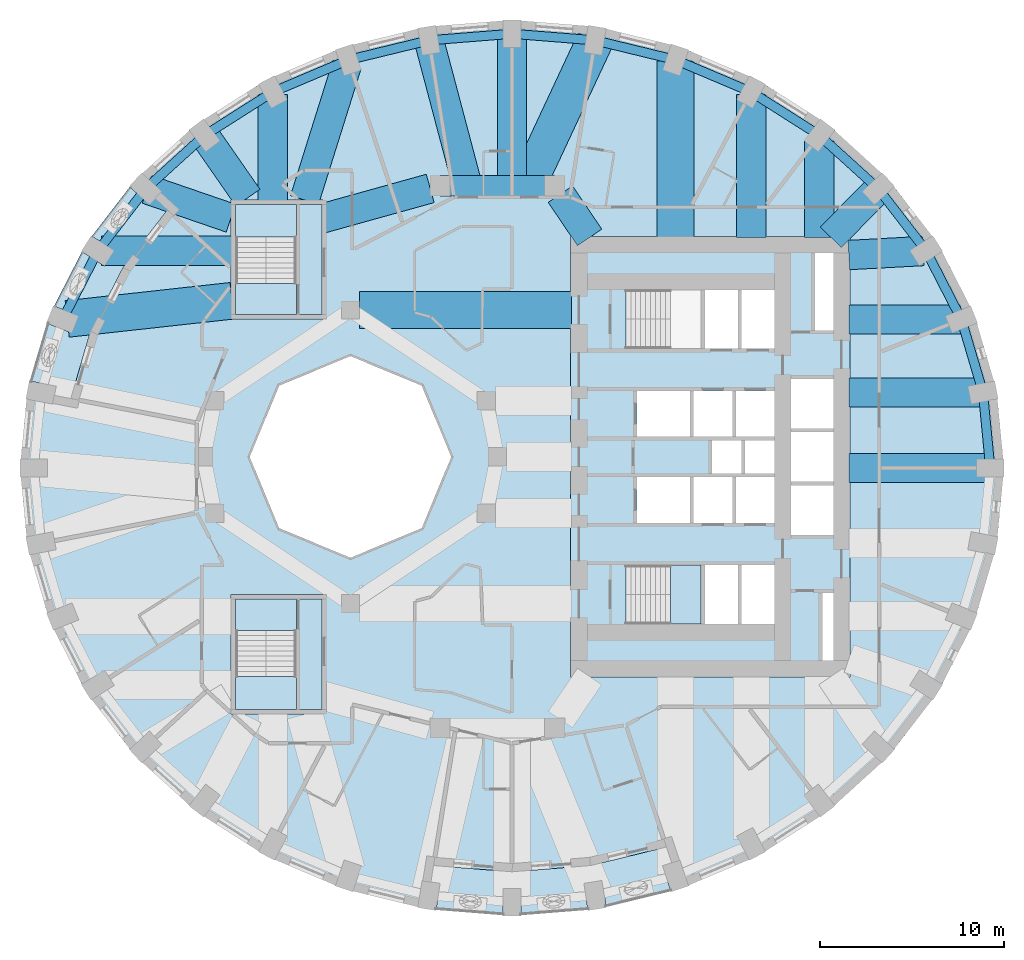
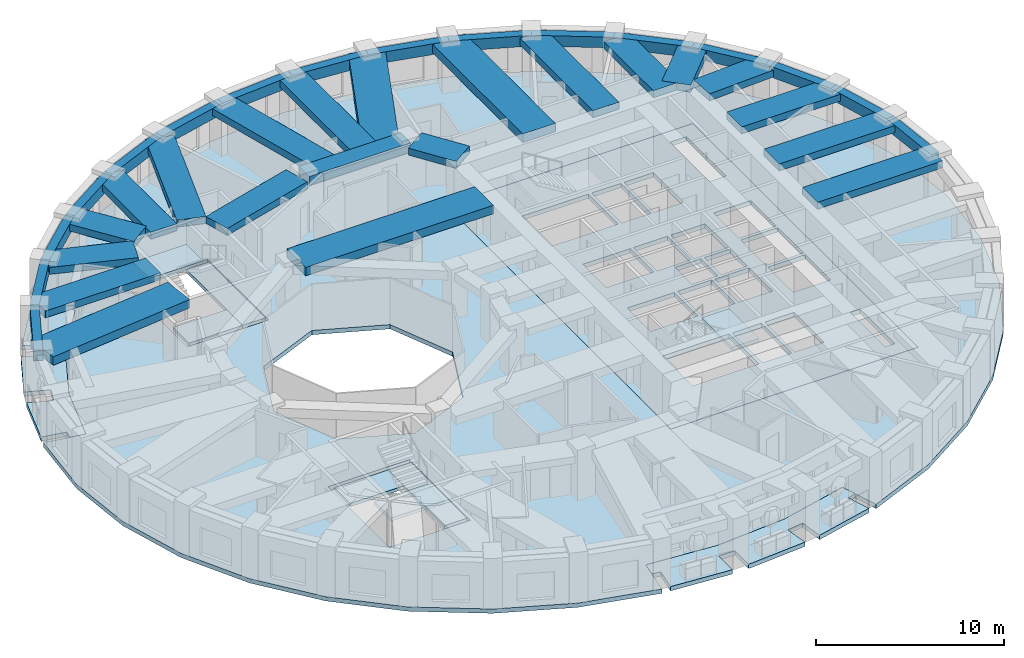
# One storey, part 2 of 13: 37 beams, 11 slabs, 3 elements without a shape of their own.
"""IFC4 building model written with IfcOpenShell, lengths in metres."""

from ifc_helpers import new_model, si_unit, direction, frame, origin, origin_2d, place, context, subcontext, project, spatial, polyline, rectangle, outline, extrude, material, layer, layer_set, material_profile, profile_set, type_object, element, aggregate, save


model = new_model("IFC4")

# Units and contexts
model_context = context("Model", 3, precision=1e-05, world=origin(), true_north=direction((0.0, 1.0)))
body_context = subcontext(model_context, "Body", "Model", "MODEL_VIEW")
ifc_project = project(units=[si_unit("LENGTHUNIT", "METRE"), si_unit("AREAUNIT", "SQUARE_METRE"), si_unit("VOLUMEUNIT", "CUBIC_METRE"), si_unit("PLANEANGLEUNIT", "RADIAN"), si_unit("MASSUNIT", "GRAM", prefix="KILO")], contexts=[model_context])

# Site, building, storey
site_placement = place(None, origin())
site = spatial("IfcSite", under=ifc_project, at=site_placement, CompositionType="ELEMENT")
building_placement = place(site_placement, origin())
building = spatial("IfcBuilding", under=site, at=building_placement, Name="Taillehof Tower", CompositionType="ELEMENT")
storey_placement = place(building_placement, frame((0.0, 0.0, 115.300048828125)))
storey = spatial("IfcBuildingStorey", under=building, at=storey_placement, Name="L32", CompositionType="ELEMENT", Elevation=115.300048828125)

# Beams
ifc_material_1 = material(Name="Concrete C50/60", Category="concrete")
ifc_material_profile_1 = material_profile(ifc_material_1, rectangle(XDim=1.10009765625, YDim=0.60009765625, at=origin_2d()), Name="RC 1100x600")
ifc_profile_set_1 = profile_set([ifc_material_profile_1], Name="Concrete C50/60")
beam_type_1 = type_object("IfcBeamType", Name="Mid-ring beam C50/60 1100x600", PredefinedType="BEAM", material=ifc_profile_set_1)
beam_1_placement = place(storey_placement, frame((3.125732421875, 14.772216796875, 2.719970703125), z_axis=(-1.0, 0.0, 0.0), x_axis=(0.0, -1.0, 0.0)))
element("IfcBeam", 1, at=beam_1_placement, inside=storey, type_object=beam_type_1, Name="Mid-ring beam MB01", PredefinedType="BEAM", context=body_context, shape_type="SweptSolid", body=[
    extrude(rectangle(XDim=1.10009765625, YDim=0.60009765625, at=origin_2d()), origin(), (0.0, 0.0, 1.0), 6.25146484375),
])
ifc_material_2 = material(Name="Concrete C50/60", Category="concrete")
ifc_material_profile_2 = material_profile(ifc_material_2, rectangle(XDim=1.60009765625, YDim=0.449951171875, at=origin_2d()), Name="RC 1600x450")
ifc_profile_set_2 = profile_set([ifc_material_profile_2], Name="Concrete C50/60")
beam_type_2 = type_object("IfcBeamType", Name="Radial band beam C50/60 1600x450", PredefinedType="BEAM", material=ifc_profile_set_2)
beam_2_placement = place(storey_placement, frame((26.85009765625, -0.60009765625, 2.794921875), z_axis=(-1.0, 0.0, 0.0), x_axis=(0.0, -1.0, 0.0)))
element("IfcBeam", 2, at=beam_2_placement, inside=storey, type_object=beam_type_2, Name="Radial band beam RB01", PredefinedType="BEAM", context=body_context, shape_type="SweptSolid", body=[
    extrude(rectangle(XDim=1.60009765625, YDim=0.449951171875, at=origin_2d()), origin(), (0.0, 0.0, 1.0), 7.7001953125),
])
beam_3_placement = place(storey_placement, frame((26.454345703125, 3.5068359375, 2.794921875), z_axis=(-1.0, 0.0, 0.0), x_axis=(0.0, -1.0, 0.0)))
element("IfcBeam", 3, at=beam_3_placement, inside=storey, type_object=beam_type_2, Name="Radial band beam RB02", PredefinedType="BEAM", context=body_context, shape_type="SweptSolid", body=[
    extrude(rectangle(XDim=1.60009765625, YDim=0.449951171875, at=origin_2d()), origin(), (0.0, 0.0, 1.0), 7.304443359375),
])
beam_4_placement = place(storey_placement, frame((25.2275390625, 7.48876953125, 2.794921875), z_axis=(-1.0, 0.0, 0.0), x_axis=(0.0, -1.0, 0.0)))
element("IfcBeam", 4, at=beam_4_placement, inside=storey, type_object=beam_type_2, Name="Radial band beam RB03", PredefinedType="BEAM", context=body_context, shape_type="SweptSolid", body=[
    extrude(rectangle(XDim=1.60009765625, YDim=0.449951171875, at=origin_2d()), origin(), (0.0, 0.0, 1.0), 6.07763671875),
])
beam_5_placement = place(storey_placement, frame((23.197021484375, 11.21630859375, 2.794921875), z_axis=(-0.998539024739, -0.054035322466, 0.0), x_axis=(0.054035322466, -0.998539024739, 0.0)))
element("IfcBeam", 5, at=beam_5_placement, inside=storey, type_object=beam_type_2, Name="Radial band beam RB04", PredefinedType="BEAM", context=body_context, shape_type="SweptSolid", body=[
    extrude(rectangle(XDim=1.60009765625, YDim=0.449951171875, at=origin_2d()), origin(), (0.0, 0.0, 1.0), 4.052734375),
])
beam_6_placement = place(storey_placement, frame((20.75537109375, 14.60205078125, 2.794921875), z_axis=(-0.700671998657, -0.713483531903, 0.0), x_axis=(0.713483531903, -0.700671998657, 0.0)))
element("IfcBeam", 6, at=beam_6_placement, inside=storey, type_object=beam_type_2, Name="Radial band beam RB05", PredefinedType="BEAM", context=body_context, shape_type="SweptSolid", body=[
    extrude(rectangle(XDim=1.60009765625, YDim=0.449951171875, at=origin_2d()), origin(), (0.0, 0.0, 1.0), 3.697021484375),
])
beam_7_placement = place(storey_placement, frame((17.544677734375, 17.2216796875, 2.794921875), z_axis=(0.0, -1.0, 0.0), x_axis=(1.0, 0.0, 0.0)))
element("IfcBeam", 7, at=beam_7_placement, inside=storey, type_object=beam_type_2, Name="Radial band beam RB06", PredefinedType="BEAM", context=body_context, shape_type="SweptSolid", body=[
    extrude(rectangle(XDim=1.60009765625, YDim=0.449951171875, at=origin_2d()), origin(), (0.0, 0.0, 1.0), 5.271728515625),
])
beam_8_placement = place(storey_placement, frame((13.824951171875, 19.744384765625, 2.794921875), z_axis=(0.0, -1.0, 0.0), x_axis=(1.0, 0.0, 0.0)))
element("IfcBeam", 8, at=beam_8_placement, inside=storey, type_object=beam_type_2, Name="Radial band beam RB07", PredefinedType="BEAM", context=body_context, shape_type="SweptSolid", body=[
    extrude(rectangle(XDim=1.60009765625, YDim=0.449951171875, at=origin_2d()), origin(), (0.0, 0.0, 1.0), 7.79443359375),
])
beam_9_placement = place(storey_placement, frame((0.800048828125, 23.050048828125, 2.794921875), z_axis=(0.0, -1.0, 0.0), x_axis=(1.0, 0.0, 0.0)))
element("IfcBeam", 9, at=beam_9_placement, inside=storey, type_object=beam_type_2, Name="Radial band beam RB10", PredefinedType="BEAM", context=body_context, shape_type="SweptSolid", body=[
    extrude(rectangle(XDim=1.60009765625, YDim=0.449951171875, at=origin_2d()), origin(), (0.0, 0.0, 1.0), 8.27783203125),
])
beam_10_placement = place(storey_placement, frame((-3.7236328125, 22.690673828125, 2.794921875), z_axis=(0.256102263642, -0.966649693817, 0.0), x_axis=(0.966649693817, 0.256102263642, 0.0)))
element("IfcBeam", 10, at=beam_10_placement, inside=storey, type_object=beam_type_2, Name="Radial band beam RB11", PredefinedType="BEAM", context=body_context, shape_type="SweptSolid", body=[
    extrude(rectangle(XDim=1.60009765625, YDim=0.449951171875, at=origin_2d()), origin(), (0.0, 0.0, 1.0), 8.191650390625),
])
beam_11_placement = place(storey_placement, frame((-8.189453125, 21.369140625, 2.794921875), z_axis=(-0.299184997435, -0.954195125386, 0.0), x_axis=(0.954195125386, -0.299184997435, 0.0)))
element("IfcBeam", 11, at=beam_11_placement, inside=storey, type_object=beam_type_2, Name="Radial band beam RB12", PredefinedType="BEAM", context=body_context, shape_type="SweptSolid", body=[
    extrude(rectangle(XDim=1.60009765625, YDim=0.449951171875, at=origin_2d()), origin(), (0.0, 0.0, 1.0), 7.728515625),
])
beam_12_placement = place(storey_placement, frame((-12.22509765625, 19.744384765625, 2.794921875), z_axis=(0.0, -1.0, 0.0), x_axis=(1.0, 0.0, 0.0)))
element("IfcBeam", 12, at=beam_12_placement, inside=storey, type_object=beam_type_2, Name="Radial band beam RB13", PredefinedType="BEAM", context=body_context, shape_type="SweptSolid", body=[
    extrude(rectangle(XDim=1.60009765625, YDim=0.449951171875, at=origin_2d()), origin(), (0.0, 0.0, 1.0), 5.79443359375),
])
beam_13_placement = place(storey_placement, frame((-15.944580078125, 17.516845703125, 2.794921875), z_axis=(0.570763290366, -0.821114648737, 0.0), x_axis=(0.821114648737, 0.570763290366, 0.0)))
element("IfcBeam", 13, at=beam_13_placement, inside=storey, type_object=beam_type_2, Name="Radial band beam RB14", PredefinedType="BEAM", context=body_context, shape_type="SweptSolid", body=[
    extrude(rectangle(XDim=1.60009765625, YDim=0.449951171875, at=origin_2d()), origin(), (0.0, 0.0, 1.0), 4.1328125),
])
beam_14_placement = place(storey_placement, frame((-19.080810546875, 14.576171875, 2.794921875), z_axis=(0.945583195076, -0.325380425334, 0.0), x_axis=(0.325380425334, 0.945583195076, 0.0)))
element("IfcBeam", 14, at=beam_14_placement, inside=storey, type_object=beam_type_2, Name="Radial band beam RB15", PredefinedType="BEAM", context=body_context, shape_type="SweptSolid", body=[
    extrude(rectangle(XDim=1.60009765625, YDim=0.449951171875, at=origin_2d()), origin(), (0.0, 0.0, 1.0), 4.83349609375),
])
beam_15_placement = place(storey_placement, frame((-21.54736328125, 11.22509765625, 2.794921875), z_axis=(1.0, 0.0, 0.0), x_axis=(0.0, 1.0, 0.0)))
element("IfcBeam", 15, at=beam_15_placement, inside=storey, type_object=beam_type_2, Name="Radial band beam RB16", PredefinedType="BEAM", context=body_context, shape_type="SweptSolid", body=[
    extrude(rectangle(XDim=1.60009765625, YDim=0.449951171875, at=origin_2d()), origin(), (0.0, 0.0, 1.0), 7.097412109375),
])
beam_16_placement = place(storey_placement, frame((3.433837890625, 14.31640625, 2.794921875), z_axis=(0.560112043398, -0.828416862962, 0.0), x_axis=(0.828416862962, 0.560112043398, 0.0)))
element("IfcBeam", 16, at=beam_16_placement, inside=storey, type_object=beam_type_2, Name="Inner band beam IB205", PredefinedType="BEAM", context=body_context, shape_type="SweptSolid", body=[
    extrude(rectangle(XDim=1.60009765625, YDim=0.449951171875, at=origin_2d()), origin(), (0.0, 0.0, 1.0), 2.84619140625),
])
beam_17_placement = place(storey_placement, frame((-3.655517578125, 14.624755859375, 2.794921875), z_axis=(-0.963459369536, -0.267854518821, 0.0), x_axis=(0.267854518821, -0.963459369536, 0.0)))
element("IfcBeam", 17, at=beam_17_placement, inside=storey, type_object=beam_type_2, Name="Inner band beam IB206", PredefinedType="BEAM", context=body_context, shape_type="SweptSolid", body=[
    extrude(rectangle(XDim=1.60009765625, YDim=0.449951171875, at=origin_2d()), origin(), (0.0, 0.0, 1.0), 6.096923828125),
])
ifc_material_3 = material(Name="Concrete C50/60", Category="concrete")
ifc_material_profile_3 = material_profile(ifc_material_3, rectangle(XDim=2.0, YDim=0.550048828125, at=origin_2d()), Name="RC 2000x550")
ifc_profile_set_3 = profile_set([ifc_material_profile_3], Name="Concrete C50/60")
beam_type_3 = type_object("IfcBeamType", Name="Radial band beam C50/60 2000x550", PredefinedType="BEAM", material=ifc_profile_set_3)
beam_18_placement = place(storey_placement, frame((9.709716796875, 21.556640625, 2.744873046875), z_axis=(0.0, -1.0, 0.0), x_axis=(1.0, 0.0, 0.0)))
element("IfcBeam", 18, at=beam_18_placement, inside=storey, type_object=beam_type_3, Name="Radial band beam RB08", PredefinedType="BEAM", context=body_context, shape_type="SweptSolid", body=[
    extrude(rectangle(XDim=2.0, YDim=0.550048828125, at=origin_2d()), origin(), (0.0, 0.0, 1.0), 9.606689453125),
])
beam_19_placement = place(storey_placement, frame((5.312744140625, 22.66748046875, 2.744873046875), z_axis=(-0.423126261145, -0.90607072965, 0.0), x_axis=(0.90607072965, -0.423126261145, 0.0)))
element("IfcBeam", 19, at=beam_19_placement, inside=storey, type_object=beam_type_3, Name="Radial band beam RB09", PredefinedType="BEAM", context=body_context, shape_type="SweptSolid", body=[
    extrude(rectangle(XDim=2.0, YDim=0.550048828125, at=origin_2d()), origin(), (0.0, 0.0, 1.0), 8.713623046875),
])
beam_20_placement = place(storey_placement, frame((-23.42919921875, 7.516357421875, 2.744873046875), z_axis=(0.993988424713, 0.109485211499, 0.0), x_axis=(-0.109485211499, 0.993988424713, 0.0)))
element("IfcBeam", 20, at=beam_20_placement, inside=storey, type_object=beam_type_3, Name="Radial band beam RB17", PredefinedType="BEAM", context=body_context, shape_type="SweptSolid", body=[
    extrude(rectangle(XDim=2.0, YDim=0.550048828125, at=origin_2d()), origin(), (0.0, 0.0, 1.0), 9.033203125),
])
beam_21_placement = place(storey_placement, frame((-7.5, 8.0, 2.744873046875), z_axis=(1.0, 0.0, 0.0), x_axis=(0.0, 1.0, 0.0)))
element("IfcBeam", 21, at=beam_21_placement, inside=storey, type_object=beam_type_3, Name="Inner band beam IB105", PredefinedType="BEAM", context=body_context, shape_type="SweptSolid", body=[
    extrude(rectangle(XDim=2.0, YDim=0.550048828125, at=origin_2d()), origin(), (0.0, 0.0, 1.0), 11.550048828125),
])
ifc_material_4 = material(Name="Concrete C50/60", Category="concrete")
ifc_material_profile_4 = material_profile(ifc_material_4, rectangle(XDim=0.5, YDim=0.699951171875, at=origin_2d()), Name="RC 500x700")
ifc_profile_set_4 = profile_set([ifc_material_profile_4], Name="Concrete C50/60")
beam_type_4 = type_object("IfcBeamType", Name="Spandrel beam C50/60 500x700", PredefinedType="SPANDREL", material=ifc_profile_set_4)
beam_22_placement = place(storey_placement, frame((26.85009765625, -0.60009765625, 2.669921875), z_axis=(-0.095917608943, 0.995389276763, 0.0), x_axis=(-0.995389276763, -0.095917608943, 0.0)))
element("IfcBeam", 22, at=beam_22_placement, inside=storey, type_object=beam_type_4, Name="Spandrel beam SB01", PredefinedType="SPANDREL", context=body_context, shape_type="SweptSolid", body=[
    extrude(rectangle(XDim=0.5, YDim=0.699951171875, at=origin_2d()), origin(), (0.0, 0.0, 1.0), 4.1259765625),
])
beam_23_placement = place(storey_placement, frame((26.454345703125, 3.5068359375, 2.669921875), z_axis=(-0.28308309012, 0.95909538842, 0.0), x_axis=(-0.95909538842, -0.28308309012, 0.0)))
element("IfcBeam", 23, at=beam_23_placement, inside=storey, type_object=beam_type_4, Name="Spandrel beam SB02", PredefinedType="SPANDREL", context=body_context, shape_type="SweptSolid", body=[
    extrude(rectangle(XDim=0.5, YDim=0.699951171875, at=origin_2d()), origin(), (0.0, 0.0, 1.0), 4.15185546875),
])
beam_24_placement = place(storey_placement, frame((25.279052734375, 7.48876953125, 2.669921875), z_axis=(-0.456905372708, 0.88951530644, 0.0), x_axis=(-0.88951530644, -0.456905372708, 0.0)))
element("IfcBeam", 24, at=beam_24_placement, inside=storey, type_object=beam_type_4, Name="Spandrel beam SB03", PredefinedType="SPANDREL", context=body_context, shape_type="SweptSolid", body=[
    extrude(rectangle(XDim=0.5, YDim=0.699951171875, at=origin_2d()), origin(), (0.0, 0.0, 1.0), 4.200439453125),
])
beam_25_placement = place(storey_placement, frame((23.35986328125, 11.22509765625, 2.669921875), z_axis=(-0.61071731561, 0.79184869793, 0.0), x_axis=(-0.79184869793, -0.61071731561, 0.0)))
element("IfcBeam", 25, at=beam_25_placement, inside=storey, type_object=beam_type_4, Name="Spandrel beam SB04", PredefinedType="SPANDREL", context=body_context, shape_type="SweptSolid", body=[
    extrude(rectangle(XDim=0.5, YDim=0.699951171875, at=origin_2d()), origin(), (0.0, 0.0, 1.0), 4.2646484375),
])
beam_26_placement = place(storey_placement, frame((20.75537109375, 14.60205078125, 2.669921875), z_axis=(-0.740400998917, 0.672165426665, 0.0), x_axis=(-0.672165426665, -0.740400998917, 0.0)))
element("IfcBeam", 26, at=beam_26_placement, inside=storey, type_object=beam_type_4, Name="Spandrel beam SB05", PredefinedType="SPANDREL", context=body_context, shape_type="SweptSolid", body=[
    extrude(rectangle(XDim=0.5, YDim=0.699951171875, at=origin_2d()), origin(), (0.0, 0.0, 1.0), 4.33642578125),
])
beam_27_placement = place(storey_placement, frame((17.544677734375, 17.516845703125, 2.669921875), z_axis=(-0.843903157847, 0.536495536027, 0.0), x_axis=(-0.536495536027, -0.843903157847, 0.0)))
element("IfcBeam", 27, at=beam_27_placement, inside=storey, type_object=beam_type_4, Name="Spandrel beam SB06", PredefinedType="SPANDREL", context=body_context, shape_type="SweptSolid", body=[
    extrude(rectangle(XDim=0.5, YDim=0.699951171875, at=origin_2d()), origin(), (0.0, 0.0, 1.0), 4.40771484375),
])
beam_28_placement = place(storey_placement, frame((13.824951171875, 19.881591796875, 2.669921875), z_axis=(-0.920876744153, 0.389853847074, 0.0), x_axis=(-0.389853847074, -0.920876744153, 0.0)))
element("IfcBeam", 28, at=beam_28_placement, inside=storey, type_object=beam_type_4, Name="Spandrel beam SB07", PredefinedType="SPANDREL", context=body_context, shape_type="SweptSolid", body=[
    extrude(rectangle(XDim=0.5, YDim=0.699951171875, at=origin_2d()), origin(), (0.0, 0.0, 1.0), 4.46875),
])
beam_29_placement = place(storey_placement, frame((9.709716796875, 21.623779296875, 2.669921875), z_axis=(-0.971668945916, 0.23634605887, 0.0), x_axis=(-0.23634605887, -0.971668945916, 0.0)))
element("IfcBeam", 29, at=beam_29_placement, inside=storey, type_object=beam_type_4, Name="Spandrel beam SB08", PredefinedType="SPANDREL", context=body_context, shape_type="SweptSolid", body=[
    extrude(rectangle(XDim=0.5, YDim=0.699951171875, at=origin_2d()), origin(), (0.0, 0.0, 1.0), 4.51416015625),
])
beam_30_placement = place(storey_placement, frame((5.323486328125, 22.690673828125, 2.669921875), z_axis=(-0.996858923208, 0.079197772828, 0.0), x_axis=(-0.079197772828, -0.996858923208, 0.0)))
element("IfcBeam", 30, at=beam_30_placement, inside=storey, type_object=beam_type_4, Name="Spandrel beam SB09", PredefinedType="SPANDREL", context=body_context, shape_type="SweptSolid", body=[
    extrude(rectangle(XDim=0.5, YDim=0.699951171875, at=origin_2d()), origin(), (0.0, 0.0, 1.0), 4.53759765625),
])
beam_31_placement = place(storey_placement, frame((0.800048828125, 23.050048828125, 2.669921875), z_axis=(-0.996859260648, -0.079193525375, 0.0), x_axis=(0.079193525375, -0.996859260648, 0.0)))
element("IfcBeam", 31, at=beam_31_placement, inside=storey, type_object=beam_type_4, Name="Spandrel beam SB10", PredefinedType="SPANDREL", context=body_context, shape_type="SweptSolid", body=[
    extrude(rectangle(XDim=0.5, YDim=0.699951171875, at=origin_2d()), origin(), (0.0, 0.0, 1.0), 4.537841796875),
])
beam_32_placement = place(storey_placement, frame((-3.7236328125, 22.690673828125, 2.669921875), z_axis=(-0.971665924588, -0.236358479847, 0.0), x_axis=(0.236358479847, -0.971665924588, 0.0)))
element("IfcBeam", 32, at=beam_32_placement, inside=storey, type_object=beam_type_4, Name="Spandrel beam SB11", PredefinedType="SPANDREL", context=body_context, shape_type="SweptSolid", body=[
    extrude(rectangle(XDim=0.5, YDim=0.699951171875, at=origin_2d()), origin(), (0.0, 0.0, 1.0), 4.513916015625),
])
beam_33_placement = place(storey_placement, frame((-8.109619140625, 21.623779296875, 2.669921875), z_axis=(-0.920885046825, -0.389834234688, 0.0), x_axis=(0.389834234688, -0.920885046825, 0.0)))
element("IfcBeam", 33, at=beam_33_placement, inside=storey, type_object=beam_type_4, Name="Spandrel beam SB12", PredefinedType="SPANDREL", context=body_context, shape_type="SweptSolid", body=[
    extrude(rectangle(XDim=0.5, YDim=0.699951171875, at=origin_2d()), origin(), (0.0, 0.0, 1.0), 4.468994140625),
])
beam_34_placement = place(storey_placement, frame((-12.22509765625, 19.881591796875, 2.669921875), z_axis=(-0.843887214322, -0.536520614239, 0.0), x_axis=(0.536520614239, -0.843887214322, 0.0)))
element("IfcBeam", 34, at=beam_34_placement, inside=storey, type_object=beam_type_4, Name="Spandrel beam SB13", PredefinedType="SPANDREL", context=body_context, shape_type="SweptSolid", body=[
    extrude(rectangle(XDim=0.5, YDim=0.699951171875, at=origin_2d()), origin(), (0.0, 0.0, 1.0), 4.407470703125),
])
beam_35_placement = place(storey_placement, frame((-15.944580078125, 17.516845703125, 2.669921875), z_axis=(-0.740426434014, -0.672137408432, 0.0), x_axis=(0.672137408432, -0.740426434014, 0.0)))
element("IfcBeam", 35, at=beam_35_placement, inside=storey, type_object=beam_type_4, Name="Spandrel beam SB14", PredefinedType="SPANDREL", context=body_context, shape_type="SweptSolid", body=[
    extrude(rectangle(XDim=0.5, YDim=0.699951171875, at=origin_2d()), origin(), (0.0, 0.0, 1.0), 4.336669921875),
])
beam_36_placement = place(storey_placement, frame((-19.155517578125, 14.60205078125, 2.669921875), z_axis=(-0.61071731561, -0.79184869793, 0.0), x_axis=(0.79184869793, -0.61071731561, 0.0)))
element("IfcBeam", 36, at=beam_36_placement, inside=storey, type_object=beam_type_4, Name="Spandrel beam SB15", PredefinedType="SPANDREL", context=body_context, shape_type="SweptSolid", body=[
    extrude(rectangle(XDim=0.5, YDim=0.699951171875, at=origin_2d()), origin(), (0.0, 0.0, 1.0), 4.2646484375),
])
beam_37_placement = place(storey_placement, frame((-21.760009765625, 11.22509765625, 2.669921875), z_axis=(-0.456859381733, -0.889538928503, 0.0), x_axis=(0.889538928503, -0.456859381733, 0.0)))
element("IfcBeam", 37, at=beam_37_placement, inside=storey, type_object=beam_type_4, Name="Spandrel beam SB16", PredefinedType="SPANDREL", context=body_context, shape_type="SweptSolid", body=[
    extrude(rectangle(XDim=0.5, YDim=0.699951171875, at=origin_2d()), origin(), (0.0, 0.0, 1.0), 4.2001953125),
])

# Slabs
ifc_material_5 = material(Name="Concrete C40/50", Category="concrete")
ifc_layer_1 = layer(ifc_material_5, 0.280029296875)
ifc_layer_set_1 = layer_set([ifc_layer_1], Name="Balcony slab 280")
slab_type_1 = type_object("IfcSlabType", Name="Balcony slab 280", PredefinedType="USERDEFINED", material=ifc_layer_set_1)
slab_1_placement = place(storey_placement, frame((0.0, 0.0, -0.280029296875)))
element("IfcSlab", 38, at=slab_1_placement, inside=storey, type_object=slab_type_1, Name="Balcony L32 pocket 4", ObjectType="BALCONY", PredefinedType="USERDEFINED", context=body_context, shape_type="SweptSolid", body=[
    extrude(outline(polyline([(-23.236572265625, 3.1806640625), (-24.120361328125, 3.351806640625), (-24.02294921875, 3.85498046875), (-25.447509765625, 4.130859375), (-24.518798828125, 7.2861328125), (-23.168212890625, 6.74609375), (-22.796875, 7.674560546875), (-24.14404296875, 8.213134765625), (-22.6240234375, 11.180908203125), (-21.394287109375, 10.401123046875), (-20.85888671875, 11.24560546875), (-22.084228515625, 12.022705078125), (-20.0146484375, 14.7138671875), (-18.94287109375, 13.72607421875), (-18.627685546875, 14.068115234375), (-17.965087890625, 13.45751953125), (-20.382568359375, 10.314697265625), (-22.1552734375, 6.8544921875), (-23.236572265625, 3.1806640625)])), origin(), (0.0, 0.0, 1.0), 0.280029296875),
])
slab_2_placement = place(storey_placement, frame((0.0, 0.0, -0.280029296875)))
element("IfcSlab", 39, at=slab_2_placement, inside=storey, type_object=slab_type_1, Name="Balcony L32 pocket 8", ObjectType="BALCONY", PredefinedType="USERDEFINED", context=body_context, shape_type="SweptSolid", body=[
    extrude(outline(polyline([(9.211181640625, -21.250244140625), (9.494384765625, -22.10498046875), (8.9990234375, -22.26904296875), (9.45751953125, -23.652587890625), (5.929931640625, -24.51318359375), (5.6982421875, -23.071044921875), (4.7109375, -23.2294921875), (4.942138671875, -24.670166015625), (1.300048828125, -24.960205078125), (1.300048828125, -23.5), (0.300048828125, -23.5), (0.300048828125, -24.960205078125), (-3.34228515625, -24.670166015625), (-3.111083984375, -23.2294921875), (-3.615966796875, -23.1484375), (-3.473388671875, -22.259765625), (0.800048828125, -22.60009765625), (5.0732421875, -22.259765625), (9.211181640625, -21.250244140625)])), origin(), (0.0, 0.0, 1.0), 0.280029296875),
])
ifc_material_6 = material(Name="Concrete C40/50", Category="concrete")
ifc_layer_2 = layer(ifc_material_6, 0.280029296875)
ifc_layer_set_2 = layer_set([ifc_layer_2], Name="Core floor slab C40/50 280")
slab_type_2 = type_object("IfcSlabType", Name="Core floor slab C40/50 280", PredefinedType="FLOOR", material=ifc_layer_set_2)
slab_3_placement = place(storey_placement, frame((0.0, 0.0, -0.280029296875)))
element("IfcSlab", 40, at=slab_3_placement, inside=storey, type_object=slab_type_2, Name="Core floor L32", PredefinedType="FLOOR", context=body_context, shape_type="SweptSolid", body=[
    extrude(outline(polyline([(4.0, -12.0), (4.0, 12.0), (19.199951171875, 12.0), (19.199951171875, -12.0), (4.0, -12.0)]), holes=[polyline([(7.00048828125, -9.10009765625), (11.10009765625, -9.10009765625), (11.10009765625, -5.89990234375), (7.00048828125, -5.89990234375), (7.00048828125, -9.10009765625)]), polyline([(13.10009765625, -9.10009765625), (13.10009765625, -5.89990234375), (11.300048828125, -5.89990234375), (11.300048828125, -9.10009765625), (13.10009765625, -9.10009765625)]), polyline([(10.5, -3.60009765625), (10.5, -1.10009765625), (7.60009765625, -1.10009765625), (7.60009765625, -3.60009765625), (10.5, -3.60009765625)]), polyline([(12.800048828125, -3.60009765625), (12.800048828125, -1.10009765625), (10.699951171875, -1.10009765625), (10.699951171875, -3.60009765625), (12.800048828125, -3.60009765625)]), polyline([(13.300048828125, -0.89990234375), (13.300048828125, 0.89990234375), (11.699951171875, 0.89990234375), (11.699951171875, -0.89990234375), (13.300048828125, -0.89990234375)]), polyline([(10.5, 1.10009765625), (10.5, 3.60009765625), (7.60009765625, 3.60009765625), (7.60009765625, 1.10009765625), (10.5, 1.10009765625)]), polyline([(12.800048828125, 1.10009765625), (12.800048828125, 3.60009765625), (10.699951171875, 3.60009765625), (10.699951171875, 1.10009765625), (12.800048828125, 1.10009765625)]), polyline([(13.0, 1.10009765625), (15.10009765625, 1.10009765625), (15.10009765625, 3.60009765625), (13.0, 3.60009765625), (13.0, 1.10009765625)]), polyline([(11.300048828125, 5.89990234375), (13.10009765625, 5.89990234375), (13.10009765625, 9.10009765625), (11.300048828125, 9.10009765625), (11.300048828125, 5.89990234375)]), polyline([(11.10009765625, 5.89990234375), (11.10009765625, 9.10009765625), (7.00048828125, 9.10009765625), (7.00048828125, 5.89990234375), (11.10009765625, 5.89990234375)]), polyline([(18.300048828125, -11.10009765625), (18.300048828125, -7.39990234375), (17.699951171875, -7.39990234375), (17.699951171875, -11.10009765625), (18.300048828125, -11.10009765625)]), polyline([(15.10009765625, -9.10009765625), (15.10009765625, -5.89990234375), (13.300048828125, -5.89990234375), (13.300048828125, -9.10009765625), (15.10009765625, -9.10009765625)]), polyline([(16.0, -4.25), (18.300048828125, -4.25), (18.300048828125, -1.550048828125), (16.0, -1.550048828125), (16.0, -4.25)]), polyline([(13.0, -3.60009765625), (15.10009765625, -3.60009765625), (15.10009765625, -1.10009765625), (13.0, -1.10009765625), (13.0, -3.60009765625)]), polyline([(15.10009765625, -0.89990234375), (15.10009765625, 0.89990234375), (13.5, 0.89990234375), (13.5, -0.89990234375), (15.10009765625, -0.89990234375)]), polyline([(18.300048828125, -1.35009765625), (18.300048828125, 1.35009765625), (16.0, 1.35009765625), (16.0, -1.35009765625), (18.300048828125, -1.35009765625)]), polyline([(18.300048828125, 1.550048828125), (18.300048828125, 4.25), (16.0, 4.25), (16.0, 1.550048828125), (18.300048828125, 1.550048828125)]), polyline([(13.300048828125, 5.89990234375), (15.10009765625, 5.89990234375), (15.10009765625, 9.10009765625), (13.300048828125, 9.10009765625), (13.300048828125, 5.89990234375)]), polyline([(17.300048828125, 6.89990234375), (18.300048828125, 6.89990234375), (18.300048828125, 11.10009765625), (17.300048828125, 11.10009765625), (17.300048828125, 6.89990234375)])]), origin(), (0.0, 0.0, 1.0), 0.280029296875),
])
ifc_material_7 = material(Name="Concrete C40/50", Category="concrete")
ifc_layer_3 = layer(ifc_material_7, 0.280029296875)
ifc_layer_set_3 = layer_set([ifc_layer_3], Name="Floor slab 280")
slab_type_3 = type_object("IfcSlabType", Name="Floor slab 280", PredefinedType="FLOOR", material=ifc_layer_set_3)
slab_4_placement = place(storey_placement, frame((0.0, 0.0, -0.280029296875)))
element("IfcSlab", 41, at=slab_4_placement, inside=storey, type_object=slab_type_3, Name="Floor slab L32", PredefinedType="FLOOR", context=body_context, shape_type="SweptSolid", body=[
    extrude(outline(polyline([(27.60009765625, -0.60009765625), (27.19287109375, 3.636962890625), (25.98388671875, 7.745361328125), (24.009521484375, 11.60009765625), (21.330078125, 15.083984375), (18.026611328125, 18.091552734375), (14.199951171875, 20.531005859375), (9.966064453125, 22.32861328125), (5.453857421875, 23.42919921875), (0.800048828125, 23.800048828125), (-3.853759765625, 23.42919921875), (-8.3662109375, 22.32861328125), (-12.60009765625, 20.531005859375), (-16.4267578125, 18.091552734375), (-19.72998046875, 15.083984375), (-17.965087890625, 13.45751953125), (-20.3828125, 10.314697265625), (-22.1552734375, 6.8544921875), (-23.236572265625, 3.1806640625), (-25.5927734375, 3.636962890625), (-26.0, -0.60009765625), (-25.5927734375, -4.8369140625), (-24.3837890625, -8.9453125), (-22.409423828125, -12.800048828125), (-19.72998046875, -16.283935546875), (-16.4267578125, -19.29150390625), (-12.60009765625, -21.73095703125), (-8.3662109375, -23.528564453125), (-3.853759765625, -24.62939453125), (-3.473388671875, -22.259765625), (0.800048828125, -22.60009765625), (5.073486328125, -22.259765625), (9.211181640625, -21.250244140625), (9.966064453125, -23.528564453125), (14.199951171875, -21.73095703125), (18.026611328125, -19.29150390625), (21.330078125, -16.283935546875), (24.009521484375, -12.800048828125), (25.98388671875, -8.9453125), (27.19287109375, -4.8369140625), (27.60009765625, -0.60009765625)]), holes=[polyline([(-14.5, -7.5), (-9.5, -7.5), (-9.5, -14.0), (-14.5, -14.0), (-14.5, -7.5)]), polyline([(-8.0, -5.5), (-11.88916015625, -3.88916015625), (-13.5, 0.0), (-11.88916015625, 3.88916015625), (-8.0, 5.5), (-4.11083984375, 3.88916015625), (-2.5, 0.0), (-4.11083984375, -3.88916015625), (-8.0, -5.5)]), polyline([(19.199951171875, 12.0), (19.199951171875, -12.0), (4.0, -12.0), (4.0, 12.0), (19.199951171875, 12.0)]), polyline([(-14.5, 14.0), (-9.5, 14.0), (-9.5, 7.5), (-14.5, 7.5), (-14.5, 14.0)])]), origin(), (0.0, 0.0, 1.0), 0.280029296875),
])

# Stair, slab
ifc_material_8 = material(Name="Concrete C40/50", Category="concrete")
stair_type = type_object("IfcStairType", Name="Exit stair half-turn", PredefinedType="HALF_TURN_STAIR", material=ifc_material_8)
stair_1_placement = place(storey_placement, origin())
stair_1 = element("IfcStair", 42, at=stair_1_placement, inside=storey, type_object=stair_type, Name="Exit stair S2", PredefinedType="HALF_TURN_STAIR")
ifc_material_9 = material(Name="Concrete C40/50", Category="concrete")
ifc_layer_4 = layer(ifc_material_9, 0.2099609375)
ifc_layer_set_4 = layer_set([ifc_layer_4], Name="Stair landing C40/50 210")
slab_type_4 = type_object("IfcSlabType", Name="Stair landing C40/50 210", PredefinedType="LANDING", material=ifc_layer_set_4)
slab_5_placement = place(storey_placement, frame((0.0, 0.0, 1.43994140625)))
slab_5 = element("IfcSlab", 43, at=slab_5_placement, type_object=slab_type_4, Name="S2 landing 1", PredefinedType="LANDING", context=body_context, shape_type="SweptSolid", body=[
    extrude(outline(polyline([(9.429931640625, -5.89990234375), (11.10009765625, -5.89990234375), (11.10009765625, -9.10009765625), (9.429931640625, -9.10009765625), (9.429931640625, -5.89990234375)])), origin(), (0.0, 0.0, 1.0), 0.2099609375),
])
aggregate(stair_1, [slab_5])

stair_2_placement = place(storey_placement, origin())
stair_2 = element("IfcStair", 44, at=stair_2_placement, inside=storey, type_object=stair_type, Name="Exit stair S3", PredefinedType="HALF_TURN_STAIR")
slab_6_placement = place(storey_placement, frame((0.0, 0.0, 1.43994140625)))
slab_6 = element("IfcSlab", 45, at=slab_6_placement, type_object=slab_type_4, Name="S3 landing 1", PredefinedType="LANDING", context=body_context, shape_type="SweptSolid", body=[
    extrude(outline(polyline([(-14.25, 11.969970703125), (-14.25, 13.75), (-10.949951171875, 13.75), (-10.949951171875, 11.969970703125), (-14.25, 11.969970703125)])), origin(), (0.0, 0.0, 1.0), 0.2099609375),
])
aggregate(stair_2, [slab_6])

stair_3_placement = place(storey_placement, origin())
stair_3 = element("IfcStair", 46, at=stair_3_placement, inside=storey, type_object=stair_type, Name="Exit stair S4", PredefinedType="HALF_TURN_STAIR")
slab_7_placement = place(storey_placement, frame((0.0, 0.0, 1.43994140625)))
slab_7 = element("IfcSlab", 47, at=slab_7_placement, type_object=slab_type_4, Name="S4 landing 1", PredefinedType="LANDING", context=body_context, shape_type="SweptSolid", body=[
    extrude(outline(polyline([(-14.25, -11.969970703125), (-14.25, -13.75), (-10.949951171875, -13.75), (-10.949951171875, -11.969970703125), (-14.25, -11.969970703125)])), origin(), (0.0, 0.0, 1.0), 0.2099609375),
])
aggregate(stair_3, [slab_7])

# Slabs
slab_8_placement = place(storey_placement, frame((0.0, 0.0, -0.2099609375)))
element("IfcSlab", 48, at=slab_8_placement, inside=storey, type_object=slab_type_4, Name="Stair S3 floor landing", PredefinedType="LANDING", context=body_context, shape_type="SweptSolid", body=[
    extrude(outline(polyline([(-14.25, 7.75), (-14.25, 9.449951171875), (-10.949951171875, 9.449951171875), (-10.949951171875, 7.75), (-14.25, 7.75)])), origin(), (0.0, 0.0, 1.0), 0.2099609375),
])
slab_9_placement = place(storey_placement, frame((0.0, 0.0, -0.2099609375)))
element("IfcSlab", 49, at=slab_9_placement, inside=storey, type_object=slab_type_4, Name="Stair lobby S3 floor", PredefinedType="LANDING", context=body_context, shape_type="SweptSolid", body=[
    extrude(outline(polyline([(-10.949951171875, 7.75), (-9.550048828125, 7.75), (-9.550048828125, 13.75), (-10.949951171875, 13.75), (-10.949951171875, 7.75)])), origin(), (0.0, 0.0, 1.0), 0.2099609375),
])
slab_10_placement = place(storey_placement, frame((0.0, 0.0, -0.2099609375)))
element("IfcSlab", 50, at=slab_10_placement, inside=storey, type_object=slab_type_4, Name="Stair S4 floor landing", PredefinedType="LANDING", context=body_context, shape_type="SweptSolid", body=[
    extrude(outline(polyline([(-14.25, -7.75), (-14.25, -9.449951171875), (-10.949951171875, -9.449951171875), (-10.949951171875, -7.75), (-14.25, -7.75)])), origin(), (0.0, 0.0, 1.0), 0.2099609375),
])
slab_11_placement = place(storey_placement, frame((0.0, 0.0, -0.2099609375)))
element("IfcSlab", 51, at=slab_11_placement, inside=storey, type_object=slab_type_4, Name="Stair lobby S4 floor", PredefinedType="LANDING", context=body_context, shape_type="SweptSolid", body=[
    extrude(outline(polyline([(-10.949951171875, -13.75), (-9.550048828125, -13.75), (-9.550048828125, -7.75), (-10.949951171875, -7.75), (-10.949951171875, -13.75)])), origin(), (0.0, 0.0, 1.0), 0.2099609375),
])

save(model, "model.ifc")
